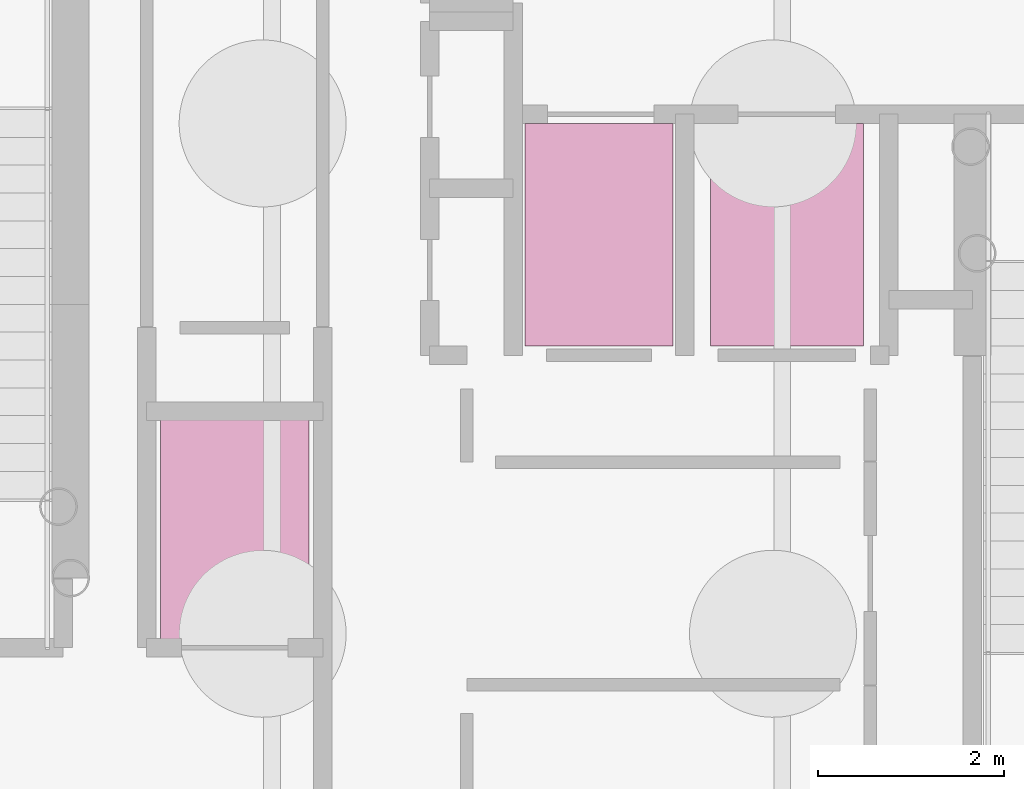
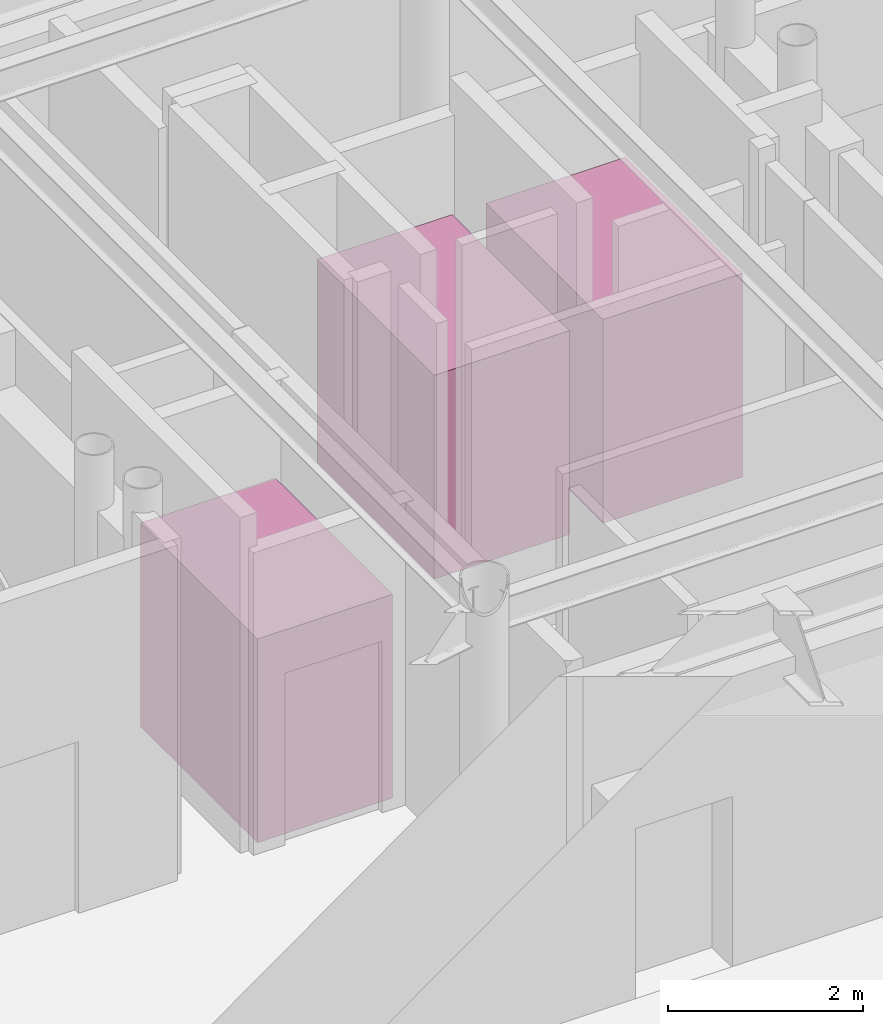
# One storey, part 18 of 18: 3 transport elements.
"""IFC4 building model written with IfcOpenShell, lengths in metres."""

from ifc_helpers import new_model, si_unit, direction, frame, origin, origin_2d, place, context, subcontext, project, spatial, rectangle, extrude, source, transform, mapped, material, type_object, element, save


model = new_model("IFC4")

# Units and contexts
model_context = context("Model", 3, precision=1e-05, world=origin(), true_north=direction((0.0, 1.0)))
body_context = subcontext(model_context, "Body", "Model", "MODEL_VIEW")
ifc_project = project(units=[si_unit("LENGTHUNIT", "METRE"), si_unit("AREAUNIT", "SQUARE_METRE"), si_unit("VOLUMEUNIT", "CUBIC_METRE"), si_unit("PLANEANGLEUNIT", "RADIAN"), si_unit("MASSUNIT", "GRAM", prefix="KILO")], contexts=[model_context])

# Site, building, storey
site_placement = place(None, origin())
site = spatial("IfcSite", under=ifc_project, at=site_placement, CompositionType="ELEMENT")
building_placement = place(site_placement, origin())
building = spatial("IfcBuilding", under=site, at=building_placement, Name="Linh Dai School and Residence Tower", CompositionType="ELEMENT")
storey_placement = place(building_placement, frame((0.0, 0.0, -9.0)))
storey = spatial("IfcBuildingStorey", under=building, at=storey_placement, Name="B02", CompositionType="ELEMENT", Elevation=-9.0)

# Transport elements
ifc_material_1 = material(Name="Fire-Rated Stainless Steel Stretcher Lift Cab", Category="steel")
transport_element_type_1 = type_object("IfcTransportElementType", Name="LFT-FF-1600KG", PredefinedType="ELEVATOR", material=ifc_material_1)
shared_shape_1 = source(origin(), body_context, "Body", "SweptSolid", [
    extrude(rectangle(XDim=1.60009765625, YDim=2.39990234375, at=origin_2d()), origin(), (0.0, 0.0, 1.0), 2.550048828125),
])
for number, where, z_axis, x_axis, name in (
    (1, (36.875, 28.550048828125, 0.0), (0.0, 0.0, 1.0), (1.0, 0.0, 0.0), "Firefighting Stretcher Lift FF1"),
    (2, (32.949951171875, 25.375, 0.0), (0.0, 0.0, 1.0), (1.0, 0.0, 0.0), "Firefighting Stretcher Lift FF2"),
):
    element("IfcTransportElement", number, at=place(storey_placement, frame(where, z_axis=z_axis, x_axis=x_axis)), inside=storey, type_object=transport_element_type_1, Name=name, PredefinedType="ELEVATOR", context=body_context, shape_type="MappedRepresentation", body=[
        mapped(shared_shape_1, transform((0.0, 0.0, 0.0), x_axis=(1.0, 0.0, 0.0), y_axis=(0.0, 1.0, 0.0), z_axis=(0.0, 0.0, 1.0), scale=1.0)),
    ])
ifc_material_2 = material(Name="Heavy-Duty Stainless Steel Goods Lift Cab", Category="steel")
transport_element_type_2 = type_object("IfcTransportElementType", Name="LFT-SRV-2000KG", PredefinedType="ELEVATOR", material=ifc_material_2)
shared_shape_2 = source(origin(), body_context, "Body", "SweptSolid", [
    extrude(rectangle(XDim=1.64990234375, YDim=2.39990234375, at=origin_2d()), origin(), (0.0, 0.0, 1.0), 2.550048828125),
])
transport_element_placement = place(storey_placement, frame((38.89990234375, 28.550048828125, 0.0), z_axis=(0.0, 0.0, 1.0), x_axis=(1.0, 0.0, 0.0)))
element("IfcTransportElement", 3, at=transport_element_placement, inside=storey, type_object=transport_element_type_2, Name="Heavy Goods and Service Lift SV1", PredefinedType="ELEVATOR", context=body_context, shape_type="MappedRepresentation", body=[
    mapped(shared_shape_2, transform((0.0, 0.0, 0.0), x_axis=(1.0, 0.0, 0.0), y_axis=(0.0, 1.0, 0.0), z_axis=(0.0, 0.0, 1.0), scale=1.0)),
])

save(model, "model.ifc")
